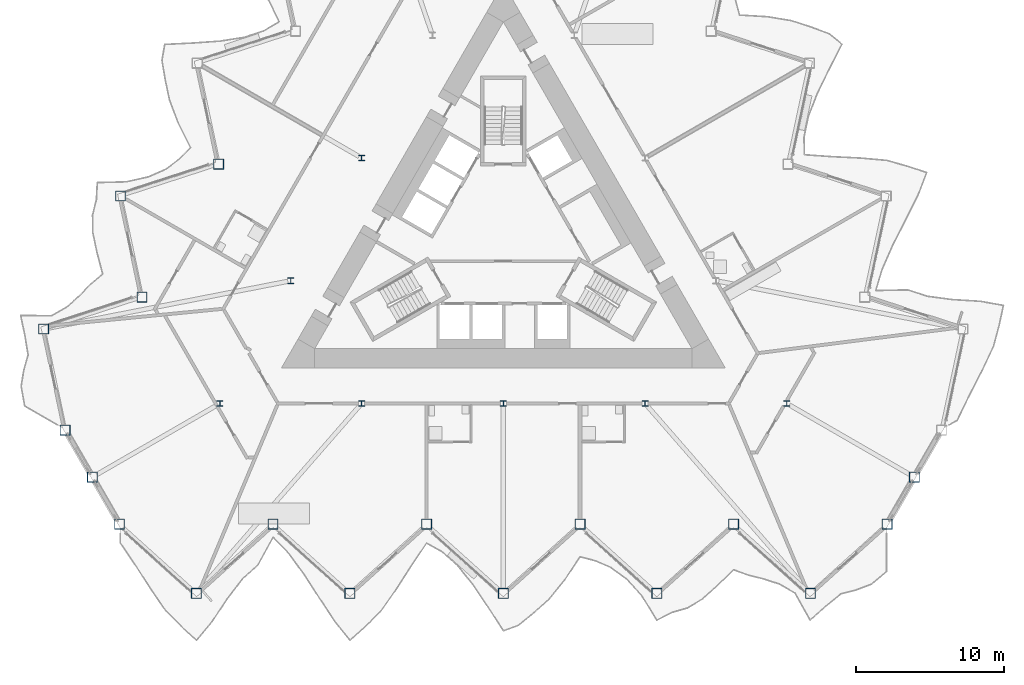
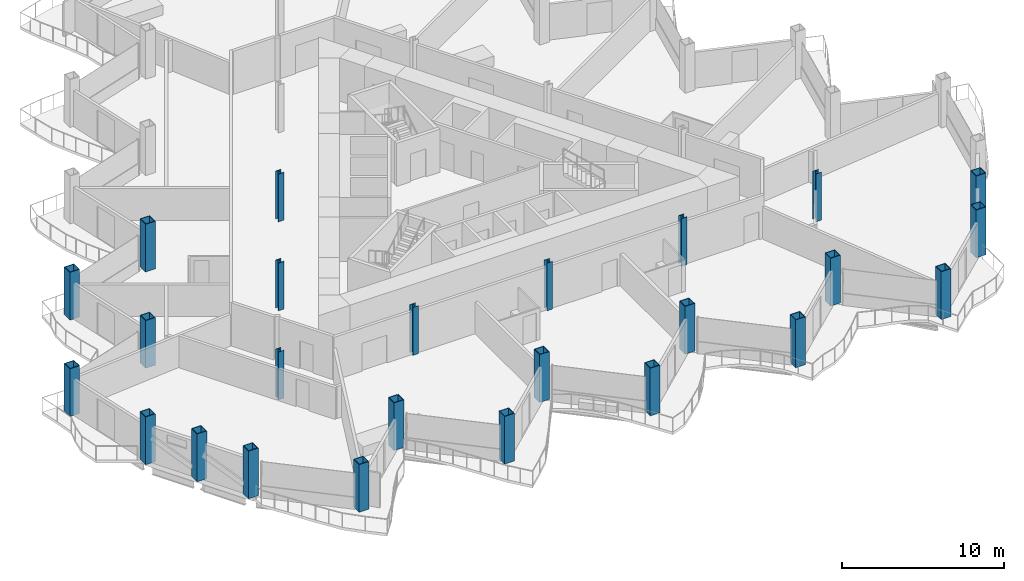
# One storey, part 1 of 23: 25 columns.
"""IFC4 building model written with IfcOpenShell, lengths in metres."""

from ifc_helpers import new_model, si_unit, direction, frame, origin, origin_2d, place, context, subcontext, project, spatial, hollow_rectangle, i_section, extrude, material, material_profile, profile_set, type_object, element, save


model = new_model("IFC4")

# Units and contexts
model_context = context("Model", 3, precision=1e-05, world=origin(), true_north=direction((0.0, 1.0)))
body_context = subcontext(model_context, "Body", "Model", "MODEL_VIEW")
ifc_project = project(units=[si_unit("LENGTHUNIT", "METRE"), si_unit("AREAUNIT", "SQUARE_METRE"), si_unit("VOLUMEUNIT", "CUBIC_METRE"), si_unit("PLANEANGLEUNIT", "RADIAN"), si_unit("MASSUNIT", "GRAM", prefix="KILO")], contexts=[model_context])

# Site, building, storey
site_placement = place(None, origin())
site = spatial("IfcSite", under=ifc_project, at=site_placement, CompositionType="ELEMENT")
building_placement = place(site_placement, origin())
building = spatial("IfcBuilding", under=site, at=building_placement, Name="Cormorant Prow Tower", CompositionType="ELEMENT")
storey_placement = place(building_placement, frame((0.0, 0.0, 267.0)))
storey = spatial("IfcBuildingStorey", under=building, at=storey_placement, Name="L60", CompositionType="ELEMENT", Elevation=267.0)

# Columns
ifc_material_1 = material(Name="Structural steel ASTM A572 Gr 50", Category="steel")
ifc_material_profile_1 = material_profile(ifc_material_1, hollow_rectangle(XDim=0.699951171875, YDim=0.699951171875, WallThickness=0.044921875, at=origin_2d()), Name="Box 700x700x45")
ifc_profile_set_1 = profile_set([ifc_material_profile_1], Name="Structural steel ASTM A572 Gr 50")
column_type_1 = type_object("IfcColumnType", Name="Perimeter box column 700x700x45", PredefinedType="COLUMN", material=ifc_profile_set_1)
for number, where, z_axis, x_axis, name in (
    (1, (-25.941162109375, -19.21533203125, 0.0), (0.0, 0.0, 1.0), (1.0, 0.0, 0.0), "Perimeter column C5 at S00 L60"),
    (2, (-20.7529296875, -23.886962890625, 0.0), (0.0, 0.0, 1.0), (1.0, 0.0, 0.0), "Perimeter column C5 at S01 L60"),
    (3, (-15.564697265625, -19.21533203125, 0.0), (0.0, 0.0, 1.0), (1.0, 0.0, 0.0), "Perimeter column C5 at S02 L60"),
    (4, (-10.37646484375, -23.886962890625, 0.0), (0.0, 0.0, 1.0), (1.0, 0.0, 0.0), "Perimeter column C5 at S03 L60"),
    (5, (-5.188232421875, -19.21533203125, 0.0), (0.0, 0.0, 1.0), (1.0, 0.0, 0.0), "Perimeter column C5 at S04 L60"),
    (6, (0.0, -23.886962890625, 0.0), (0.0, 0.0, 1.0), (1.0, 0.0, 0.0), "Perimeter column C5 at S05 L60"),
    (7, (5.188232421875, -19.21533203125, 0.0), (0.0, 0.0, 1.0), (1.0, 0.0, 0.0), "Perimeter column C5 at S06 L60"),
    (8, (10.37646484375, -23.886962890625, 0.0), (0.0, 0.0, 1.0), (1.0, 0.0, 0.0), "Perimeter column C5 at S07 L60"),
    (9, (15.564697265625, -19.21533203125, 0.0), (0.0, 0.0, 1.0), (1.0, 0.0, 0.0), "Perimeter column C5 at S08 L60"),
    (10, (20.7529296875, -23.886962890625, 0.0), (0.0, 0.0, 1.0), (1.0, 0.0, 0.0), "Perimeter column C5 at S09 L60"),
    (11, (25.941162109375, -19.21533203125, 0.0), (0.0, 0.0, 1.0), (1.0, 0.0, 0.0), "Perimeter column C5 at ESE00 L60"),
    (12, (27.7763671875, -16.03662109375, 0.0), (0.0, 0.0, 1.0), (1.0, 0.0, 0.0), "Perimeter column C5 at ESE01 L60"),
    (13, (-19.235107421875, 5.114501953125, 0.0), (0.0, 0.0, 1.0), (1.0, 0.0, 0.0), "Perimeter column C5 at WNW06 L60"),
    (14, (-25.875, 2.957275390625, 0.0), (0.0, 0.0, 1.0), (1.0, 0.0, 0.0), "Perimeter column C5 at WNW07 L60"),
    (15, (-24.42333984375, -3.871826171875, 0.0), (0.0, 0.0, 1.0), (1.0, 0.0, 0.0), "Perimeter column C5 at WNW08 L60"),
    (16, (-31.063232421875, -6.029052734375, 0.0), (0.0, 0.0, 1.0), (1.0, 0.0, 0.0), "Perimeter column C5 at WNW09 L60"),
    (17, (-29.611572265625, -12.858154296875, 0.0), (0.0, 0.0, 1.0), (1.0, 0.0, 0.0), "Perimeter column C5 at WSW00 L60"),
    (18, (-27.7763671875, -16.03662109375, 0.0), (0.0, 0.0, 1.0), (1.0, 0.0, 0.0), "Perimeter column C5 at WSW01 L60"),
):
    element("IfcColumn", number, at=place(storey_placement, frame(where, z_axis=z_axis, x_axis=x_axis)), inside=storey, type_object=column_type_1, Name=name, PredefinedType="COLUMN", context=body_context, shape_type="SweptSolid", body=[
        extrude(hollow_rectangle(XDim=0.699951171875, YDim=0.699951171875, WallThickness=0.044921875, at=origin_2d()), origin(), (0.0, 0.0, 1.0), 3.60009765625),
    ])
ifc_material_2 = material(Name="Structural steel ASTM A992 Gr 50", Category="steel")
ifc_material_profile_2 = material_profile(ifc_material_2, i_section(OverallWidth=0.39892578125, OverallDepth=0.393310546875, WebThickness=0.022705078125, FlangeThickness=0.03662109375, at=origin_2d()), Name="W14x193")
ifc_profile_set_2 = profile_set([ifc_material_profile_2], Name="Structural steel ASTM A992 Gr 50")
column_type_2 = type_object("IfcColumnType", Name="Ring column W14x193", PredefinedType="COLUMN", material=ifc_profile_set_2)
for number, where, z_axis, x_axis, name in (
    (19, (-9.578369140625, 5.530029296875, 0.0), (0.0, 0.0, 1.0), (1.0, 0.0, 0.0), "Ring column 3 L60"),
    (20, (-14.36767578125, -2.76513671875, 0.0), (0.0, 0.0, 1.0), (1.0, 0.0, 0.0), "Ring column 4 L60"),
    (21, (-19.156982421875, -11.060302734375, 0.0), (0.0, 0.0, 1.0), (1.0, 0.0, 0.0), "Ring column 5 L60"),
    (22, (-9.578369140625, -11.060302734375, 0.0), (0.0, 0.0, 1.0), (1.0, 0.0, 0.0), "Ring column 6 L60"),
    (23, (0.0, -11.060302734375, 0.0), (0.0, 0.0, 1.0), (1.0, 0.0, 0.0), "Ring column 7 L60"),
    (24, (9.578369140625, -11.060302734375, 0.0), (0.0, 0.0, 1.0), (1.0, 0.0, 0.0), "Ring column 8 L60"),
    (25, (19.156982421875, -11.060302734375, 0.0), (0.0, 0.0, 1.0), (1.0, 0.0, 0.0), "Ring column 9 L60"),
):
    element("IfcColumn", number, at=place(storey_placement, frame(where, z_axis=z_axis, x_axis=x_axis)), inside=storey, type_object=column_type_2, Name=name, PredefinedType="COLUMN", context=body_context, shape_type="SweptSolid", body=[
        extrude(i_section(OverallWidth=0.39892578125, OverallDepth=0.393310546875, WebThickness=0.022705078125, FlangeThickness=0.03662109375, at=origin_2d()), origin(), (0.0, 0.0, 1.0), 3.60009765625),
    ])

save(model, "model.ifc")
